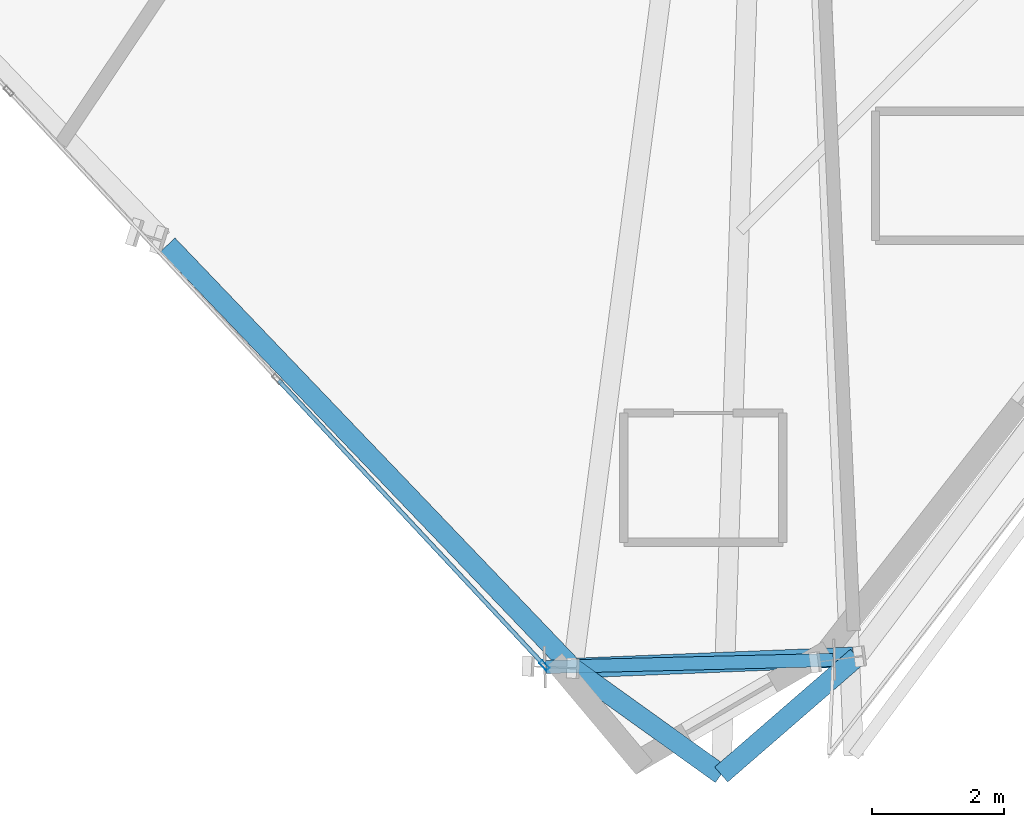
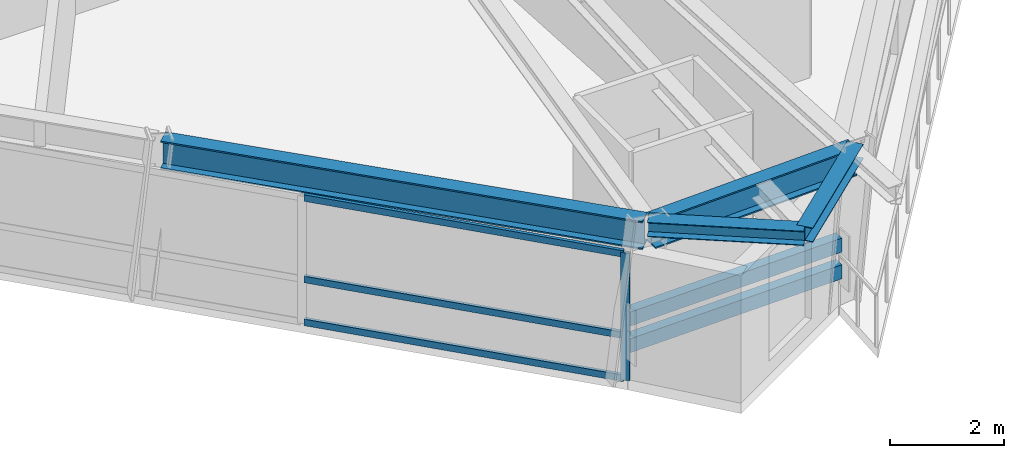
# One storey, part 3 of 14: 6 members, 4 beams, 1 element without a shape of its own.
"""IFC4 building model written with IfcOpenShell, lengths in metres."""

from ifc_helpers import new_model, si_unit, direction, frame, origin, origin_2d, place, context, subcontext, project, spatial, hollow_rectangle, i_section, extrude, source, transform, mapped, material, material_profile, profile_set, type_object, element, aggregate, save


model = new_model("IFC4")

# Units and contexts
model_context = context("Model", 3, precision=1e-05, world=origin(), true_north=direction((0.0, 1.0)))
body_context = subcontext(model_context, "Body", "Model", "MODEL_VIEW")
ifc_project = project(units=[si_unit("LENGTHUNIT", "METRE"), si_unit("AREAUNIT", "SQUARE_METRE"), si_unit("VOLUMEUNIT", "CUBIC_METRE"), si_unit("PLANEANGLEUNIT", "RADIAN"), si_unit("MASSUNIT", "GRAM", prefix="KILO")], contexts=[model_context])

# Site, building, storey
site_placement = place(None, origin())
site = spatial("IfcSite", under=ifc_project, at=site_placement, CompositionType="ELEMENT")
building_placement = place(site_placement, origin())
building = spatial("IfcBuilding", under=site, at=building_placement, Name="Olszyna Solenne Hotel", CompositionType="ELEMENT")
storey_placement = place(building_placement, frame((0.0, 0.0, 178.550048828125)))
storey = spatial("IfcBuildingStorey", under=building, at=storey_placement, Name="L47", CompositionType="ELEMENT", Elevation=178.550048828125)

# Beams
ifc_material_1 = material(Name="Steel S355J2", Category="steel")
ifc_material_profile_1 = material_profile(ifc_material_1, i_section(OverallWidth=0.300048828125, OverallDepth=0.60009765625, WebThickness=0.015380859375, FlangeThickness=0.030029296875, at=origin_2d()), Name="HEB 600", Category="load-bearing")
ifc_profile_set_1 = profile_set([ifc_material_profile_1], Name="Steel S355J2")
beam_type_1 = type_object("IfcBeamType", Name="BM-S2", PredefinedType="BEAM", material=ifc_profile_set_1)
shared_shape_1 = source(origin(), body_context, "Body", "SweptSolid", [
    extrude(i_section(OverallWidth=0.300048828125, OverallDepth=0.60009765625, WebThickness=0.015380859375, FlangeThickness=0.030029296875, at=origin_2d()), origin(), (0.0, 0.0, 1.0), 8.78857421875),
])
beam_1_placement = place(storey_placement, frame((28.719970703125, 8.798583984375, 3.030029296875), z_axis=(0.691336797377, -0.722532651576, 0.0), x_axis=(0.722532651576, 0.691336797377, 0.0)))
element("IfcBeam", 1, at=beam_1_placement, inside=storey, type_object=beam_type_1, Name="Perimeter spandrel beam BM-S2 B-L47-1399", PredefinedType="BEAM", context=body_context, shape_type="MappedRepresentation", body=[
    mapped(shared_shape_1, transform((0.0, 0.0, 0.0), x_axis=(1.0, 0.0, 0.0), y_axis=(0.0, 1.0, 0.0), z_axis=(0.0, 0.0, 1.0), scale=1.0)),
])
shared_shape_2 = source(origin(), body_context, "Body", "SweptSolid", [
    extrude(i_section(OverallWidth=0.300048828125, OverallDepth=0.60009765625, WebThickness=0.015380859375, FlangeThickness=0.030029296875, at=origin_2d()), origin(), (0.0, 0.0, 1.0), 4.171142578125),
])
beam_2_placement = place(storey_placement, frame((34.8974609375, 2.40771484375, 3.030029296875), z_axis=(0.999195901682, 0.040094264698, 0.0), x_axis=(-0.040094264698, 0.999195901682, 0.0)))
element("IfcBeam", 2, at=beam_2_placement, inside=storey, type_object=beam_type_1, Name="Perimeter spandrel beam BM-S2 B-L47-1400", PredefinedType="BEAM", context=body_context, shape_type="MappedRepresentation", body=[
    mapped(shared_shape_2, transform((0.0, 0.0, 0.0), x_axis=(1.0, 0.0, 0.0), y_axis=(0.0, 1.0, 0.0), z_axis=(0.0, 0.0, 1.0), scale=1.0)),
])
ifc_material_profile_2 = material_profile(ifc_material_1, i_section(OverallWidth=0.300048828125, OverallDepth=0.31005859375, WebThickness=0.009033203125, FlangeThickness=0.015380859375, at=origin_2d()), Name="HEA 320", Category="load-bearing")
ifc_profile_set_2 = profile_set([ifc_material_profile_2], Name="Steel S355J2")
beam_type_2 = type_object("IfcBeamType", Name="BM-G3", PredefinedType="BEAM", material=ifc_profile_set_2)
shared_shape_3 = source(origin(), body_context, "Body", "SweptSolid", [
    extrude(i_section(OverallWidth=0.300048828125, OverallDepth=0.31005859375, WebThickness=0.009033203125, FlangeThickness=0.015380859375, at=origin_2d()), origin(), (0.0, 0.0, 1.0), 2.75439453125),
])
beam_3_placement = place(storey_placement, frame((34.83740234375, 2.4052734375, 3.175048828125), z_axis=(0.812624030279, -0.58278828524, 0.0), x_axis=(0.58278828524, 0.812624030279, 0.0)))
element("IfcBeam", 3, at=beam_3_placement, inside=storey, type_object=beam_type_2, Name="Prism side edge beam BM-G3 B-L47-1413", PredefinedType="BEAM", context=body_context, shape_type="MappedRepresentation", body=[
    mapped(shared_shape_3, transform((0.0, 0.0, 0.0), x_axis=(1.0, 0.0, 0.0), y_axis=(0.0, 1.0, 0.0), z_axis=(0.0, 0.0, 1.0), scale=1.0)),
])
shared_shape_4 = source(origin(), body_context, "Body", "SweptSolid", [
    extrude(i_section(OverallWidth=0.300048828125, OverallDepth=0.31005859375, WebThickness=0.009033203125, FlangeThickness=0.015380859375, at=origin_2d()), origin(), (0.0, 0.0, 1.0), 2.712646484375),
])
beam_4_placement = place(storey_placement, frame((39.125, 2.577392578125, 3.175048828125), z_axis=(-0.755457411958, -0.655197755427, 0.0), x_axis=(0.655197755427, -0.755457411958, 0.0)))
element("IfcBeam", 4, at=beam_4_placement, inside=storey, type_object=beam_type_2, Name="Prism side edge beam BM-G3 B-L47-1414", PredefinedType="BEAM", context=body_context, shape_type="MappedRepresentation", body=[
    mapped(shared_shape_4, transform((0.0, 0.0, 0.0), x_axis=(1.0, 0.0, 0.0), y_axis=(0.0, 1.0, 0.0), z_axis=(0.0, 0.0, 1.0), scale=1.0)),
])

# Members
ifc_material_profile_3 = material_profile(ifc_material_1, hollow_rectangle(XDim=0.199951171875, YDim=0.300048828125, WallThickness=0.01611328125, at=origin_2d()), Name="RHS 300x200x16", Category="load-bearing")
ifc_profile_set_3 = profile_set([ifc_material_profile_3], Name="Steel S355J2")
member_type_1 = type_object("IfcMemberType", Name="CH-PR1", PredefinedType="CHORD", material=ifc_profile_set_3)
shared_shape_5 = source(origin(), body_context, "Body", "SweptSolid", [
    extrude(hollow_rectangle(XDim=0.199951171875, YDim=0.300048828125, WallThickness=0.01611328125, at=origin_2d()), origin(), (0.0, 0.0, 1.0), 4.34228515625),
])
for number, where, z_axis, x_axis, name in (
    (5, (34.427734375, 2.423828125, 1.349853515625), (0.999702255942, 0.024400808677, 0.0), (-0.024400808677, 0.999702255942, 0.0), "Glass-prism tie chord CH-PR1 M-L47-PR1"),
    (6, (34.427734375, 2.423828125, 0.780029296875), (0.999702255942, 0.024400808677, 0.0), (-0.024400808677, 0.999702255942, 0.0), "Glass-prism tie chord CH-PR1 M-L47-PR2"),
):
    element("IfcMember", number, at=place(storey_placement, frame(where, z_axis=z_axis, x_axis=x_axis)), inside=storey, type_object=member_type_1, Name=name, PredefinedType="CHORD", context=body_context, shape_type="MappedRepresentation", body=[
        mapped(shared_shape_5, transform((0.0, 0.0, 0.0), x_axis=(1.0, 0.0, 0.0), y_axis=(0.0, 1.0, 0.0), z_axis=(0.0, 0.0, 1.0), scale=1.0)),
    ])

# Curtain wall, members
ifc_material_2 = material(Name="Anodised bronze aluminium", Category="aluminium")
curtain_wall_type = type_object("IfcCurtainWallType", Name="CW-SYS-4", PredefinedType="NOTDEFINED", material=ifc_material_2)
curtain_wall_placement = place(storey_placement, origin())
curtain_wall = element("IfcCurtainWall", 7, at=curtain_wall_placement, inside=storey, type_object=curtain_wall_type, Name="Unitised curtain wall CW-SYS-4 CW-L47-01", PredefinedType="NOTDEFINED")
ifc_material_profile_4 = material_profile(ifc_material_2, hollow_rectangle(XDim=0.06494140625, YDim=0.159912109375, WallThickness=0.00390625, at=origin_2d()), Name="MULL 160x65x4", Category="load-bearing")
ifc_profile_set_4 = profile_set([ifc_material_profile_4], Name="Anodised bronze aluminium")
member_type_2 = type_object("IfcMemberType", Name="CW-M3", PredefinedType="MULLION", material=ifc_profile_set_4)
shared_shape_6 = source(origin(), body_context, "Body", "SweptSolid", [
    extrude(hollow_rectangle(XDim=0.06494140625, YDim=0.159912109375, WallThickness=0.00390625, at=origin_2d()), origin(), (0.0, 0.0, 1.0), 2.721923828125),
])
member_1_placement = place(storey_placement, frame((34.405517578125, 2.447509765625, 0.0), z_axis=(0.0, 0.0, 1.0), x_axis=(0.731446318966, 0.681899026595, 0.0)))
member_1 = element("IfcMember", 8, at=member_1_placement, type_object=member_type_2, Name="Curtain-wall mullion CW-M3 CM-L47-01-04", PredefinedType="MULLION", context=body_context, shape_type="MappedRepresentation", body=[
    mapped(shared_shape_6, transform((0.0, 0.0, 0.0), x_axis=(1.0, 0.0, 0.0), y_axis=(0.0, 1.0, 0.0), z_axis=(0.0, 0.0, 1.0), scale=1.0)),
])
ifc_material_profile_5 = material_profile(ifc_material_2, hollow_rectangle(XDim=0.06494140625, YDim=0.139892578125, WallThickness=0.00390625, at=origin_2d()), Name="TRAN 140x65x4", Category="load-bearing")
ifc_profile_set_5 = profile_set([ifc_material_profile_5], Name="Anodised bronze aluminium")
member_type_3 = type_object("IfcMemberType", Name="CW-T2", PredefinedType="USERDEFINED", material=ifc_profile_set_5)
shared_shape_7 = source(origin(), body_context, "Body", "SweptSolid", [
    extrude(hollow_rectangle(XDim=0.06494140625, YDim=0.139892578125, WallThickness=0.00390625, at=origin_2d()), origin(), (0.0, 0.0, 1.0), 5.84765625),
])
member_2_placement = place(storey_placement, frame((30.39599609375, 6.74853515625, 0.032470703125), z_axis=(0.681915018822, -0.731431409707, 0.0), x_axis=(0.731431409707, 0.681915018822, 0.0)))
member_2 = element("IfcMember", 9, at=member_2_placement, type_object=member_type_3, Name="Curtain-wall transom CW-T2 CT-L47-01-07", ObjectType="TRANSOM", PredefinedType="USERDEFINED", context=body_context, shape_type="MappedRepresentation", body=[
    mapped(shared_shape_7, transform((0.0, 0.0, 0.0), x_axis=(1.0, 0.0, 0.0), y_axis=(0.0, 1.0, 0.0), z_axis=(0.0, 0.0, 1.0), scale=1.0)),
])
member_3_placement = place(storey_placement, frame((30.39599609375, 6.74853515625, 0.949951171875), z_axis=(0.681915018822, -0.731431409707, 0.0), x_axis=(0.731431409707, 0.681915018822, 0.0)))
member_3 = element("IfcMember", 10, at=member_3_placement, type_object=member_type_3, Name="Curtain-wall transom CW-T2 CT-L47-01-08", ObjectType="TRANSOM", PredefinedType="USERDEFINED", context=body_context, shape_type="MappedRepresentation", body=[
    mapped(shared_shape_7, transform((0.0, 0.0, 0.0), x_axis=(1.0, 0.0, 0.0), y_axis=(0.0, 1.0, 0.0), z_axis=(0.0, 0.0, 1.0), scale=1.0)),
])
member_4_placement = place(storey_placement, frame((30.39599609375, 6.74853515625, 2.689453125), z_axis=(0.681915018822, -0.731431409707, 0.0), x_axis=(0.731431409707, 0.681915018822, 0.0)))
member_4 = element("IfcMember", 11, at=member_4_placement, type_object=member_type_3, Name="Curtain-wall transom CW-T2 CT-L47-01-09", ObjectType="TRANSOM", PredefinedType="USERDEFINED", context=body_context, shape_type="MappedRepresentation", body=[
    mapped(shared_shape_7, transform((0.0, 0.0, 0.0), x_axis=(1.0, 0.0, 0.0), y_axis=(0.0, 1.0, 0.0), z_axis=(0.0, 0.0, 1.0), scale=1.0)),
])
aggregate(curtain_wall, [member_1, member_2, member_3, member_4])

save(model, "model.ifc")
